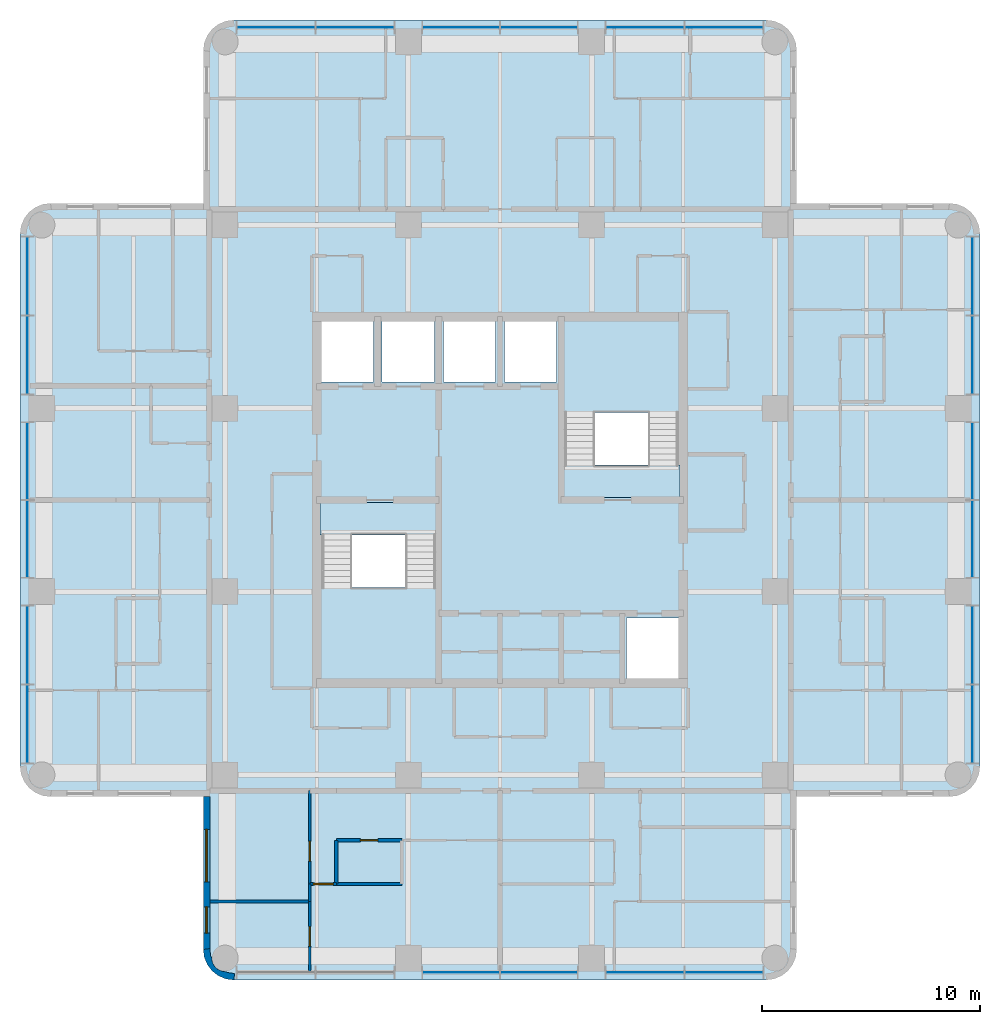
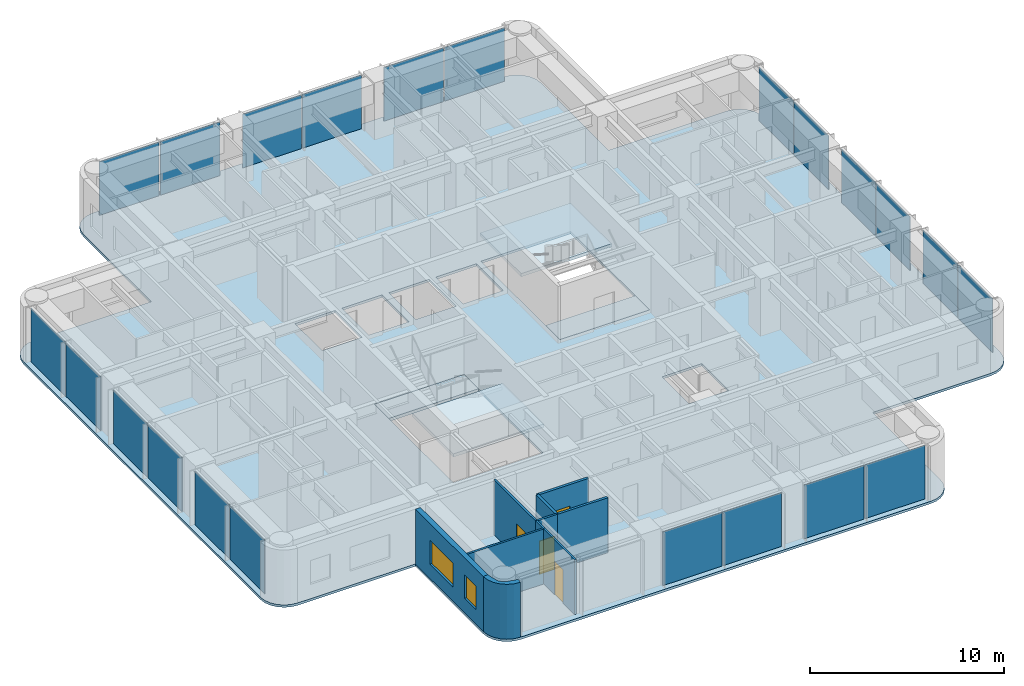
# One storey, part 3 of 10: 22 plates, 10 walls, 5 slabs, 4 doors, 2 windows, 6 openings, 6 elements without a shape of their own.
"""IFC4 building model written with IfcOpenShell, lengths in metres."""

import ifcopenshell
import ifcopenshell.guid

model = None  # the IFC model being written
_history = None  # IfcOwnerHistory: only IFC2X3 demands one
_inside = {}  # id of a spatial element -> (the spatial element, [elements in it])
_under = {}  # id of a project, library or spatial element -> (it, [spatial elements below it])
_declared = {}  # id of a project -> (the project, [libraries it declares])
_typed = {}  # id of a type object -> (the type object, [elements of that type])
_made_of = {}  # id of a material, layer set ... -> (it, [elements and type objects made of it])


def new_model(schema):
    """Start an empty IFC model of exactly this schema.

    Asked for "IFC4X3", IfcOpenShell would pick the latest addendum, in which some entities
    have other attributes; the version numbers below select the first issue.
    IFC2X3 requires an IfcOwnerHistory on every rooted entity: one is made here for all.
    """
    global model, _history
    if schema == "IFC4X3":
        model = ifcopenshell.file(schema_version=(4, 3, 0, 0))
    else:
        model = ifcopenshell.file(schema=schema)
    _inside.clear()
    _under.clear()
    _declared.clear()
    _typed.clear()
    _made_of.clear()
    _history = None
    if model.schema == "IFC2X3":
        org = make("IfcOrganization", Name="unknown")
        user = make(
            "IfcPersonAndOrganization",
            ThePerson=make("IfcPerson", FamilyName="unknown"),
            TheOrganization=org,
        )
        app = make(
            "IfcApplication",
            ApplicationDeveloper=org,
            Version="unknown",
            ApplicationFullName="unknown",
            ApplicationIdentifier="unknown",
        )
        _history = make(
            "IfcOwnerHistory",
            OwningUser=user,
            OwningApplication=app,
            ChangeAction="ADDED",
            CreationDate=0,
        )
    return model


def make(cls, **values):
    """One entity of the class cls with the attributes given. An attribute that is None is left unset."""
    return model.create_entity(
        cls, **{name: value for name, value in values.items() if value is not None}
    )


def rooted(cls, **values):
    """An entity with a GlobalId (a new one), such as an element, a storey or a relation."""
    return make(cls, GlobalId=ifcopenshell.guid.new(), OwnerHistory=_history, **values)


def si_unit(unit_type, name, prefix=None):
    """IfcSIUnit, for example si_unit("LENGTHUNIT", "METRE", prefix="MILLI")."""
    return make("IfcSIUnit", UnitType=unit_type, Prefix=prefix, Name=name)


def assignment(units):
    """IfcUnitAssignment: the units of a project."""
    return None if units is None else make("IfcUnitAssignment", Units=units)


def point(xyz):
    """IfcCartesianPoint."""
    return None if xyz is None else make("IfcCartesianPoint", Coordinates=xyz)


def direction(xyz):
    """IfcDirection."""
    return None if xyz is None else make("IfcDirection", DirectionRatios=xyz)


def frame(location, z_axis=None, x_axis=None):
    """IfcAxis2Placement3D, a coordinate frame: its origin and axes. An axis left out is left unset."""
    return make(
        "IfcAxis2Placement3D",
        Location=point(location),
        Axis=direction(z_axis),
        RefDirection=direction(x_axis),
    )


def frame_2d(location, x_axis=None):
    """IfcAxis2Placement2D, a coordinate frame in the plane: its origin and x axis."""
    return make(
        "IfcAxis2Placement2D", Location=point(location), RefDirection=direction(x_axis)
    )


def origin():
    """The frame at (0, 0, 0) with its axes left unset."""
    return frame((0.0, 0.0, 0.0))


def origin_2d():
    """The frame at (0, 0) in the plane with its x axis left unset."""
    return frame_2d((0.0, 0.0))


def place(relative_to, where):
    """IfcLocalPlacement: puts the frame where relative to a parent placement (None: the world)."""
    return make(
        "IfcLocalPlacement", PlacementRelTo=relative_to, RelativePlacement=where
    )


def context(
    kind, dimensions, precision=None, world=None, true_north=None, identifier=None
):
    """IfcGeometricRepresentationContext, for example the 3D "Model" context."""
    return make(
        "IfcGeometricRepresentationContext",
        ContextIdentifier=identifier,
        ContextType=kind,
        CoordinateSpaceDimension=dimensions,
        Precision=precision,
        WorldCoordinateSystem=world,
        TrueNorth=true_north,
    )


def subcontext(parent, identifier, kind, view, scale=None):
    """IfcGeometricRepresentationSubContext, for example "Body" below "Model"."""
    return make(
        "IfcGeometricRepresentationSubContext",
        ContextIdentifier=identifier,
        ContextType=kind,
        ParentContext=parent,
        TargetScale=scale,
        TargetView=view,
    )


def project(units=None, contexts=None):
    """IfcProject with its units and contexts."""
    return rooted(
        "IfcProject",
        Name="project",
        RepresentationContexts=contexts,
        UnitsInContext=assignment(units),
    )


def spatial(cls, under=None, at=None, **own):
    """A site, building, storey or space (cls), placed at a placement, below another one or the project."""
    s = rooted(cls, ObjectPlacement=at, **own)
    if under is not None:
        _under.setdefault(under.id(), (under, []))[1].append(s)
    return s


def polyline(points):
    """IfcPolyline through the points."""
    return make("IfcPolyline", Points=[point(p) for p in points])


def profile(cls, at=None, kind="AREA", **sizes):
    """A parametric profile (cls). Its sizes go by their IFC names, for example OverallWidth=200.0."""
    return make(cls, ProfileType=kind, Position=at, **sizes)


def rectangle(**sizes):
    """IfcRectangleProfileDef."""
    return profile("IfcRectangleProfileDef", **sizes)


def outline(outer, holes=None, kind="AREA"):
    """IfcArbitraryClosedProfileDef: a profile drawn as a closed curve; with holes, ...WithVoids."""
    if holes is None:
        return make("IfcArbitraryClosedProfileDef", ProfileType=kind, OuterCurve=outer)
    return make(
        "IfcArbitraryProfileDefWithVoids",
        ProfileType=kind,
        OuterCurve=outer,
        InnerCurves=holes,
    )


def extrude(swept, where, along, depth):
    """IfcExtrudedAreaSolid: the profile swept, set in the frame where, extruded along a direction by depth."""
    return make(
        "IfcExtrudedAreaSolid",
        SweptArea=swept,
        Position=where,
        ExtrudedDirection=direction(along),
        Depth=depth,
    )


def shape(context_of_items, identifier, shape_type, items):
    """IfcShapeRepresentation: the items that make up one representation, for example the "Body"."""
    return make(
        "IfcShapeRepresentation",
        ContextOfItems=context_of_items,
        RepresentationIdentifier=identifier,
        RepresentationType=shape_type,
        Items=items,
    )


def material(Name=None, Category=None):
    """IfcMaterial."""
    return make("IfcMaterial", Name=Name, Category=Category)


def layer(
    of_material, thickness, ventilated=None, Name=None, Category=None, Priority=None
):
    """IfcMaterialLayer: one layer of a wall or slab, of a material (None: an air gap)."""
    return make(
        "IfcMaterialLayer",
        Material=of_material,
        LayerThickness=thickness,
        IsVentilated=ventilated,
        Name=Name,
        Category=Category,
        Priority=Priority,
    )


def layer_set(layers, Name=None):
    """IfcMaterialLayerSet."""
    return make("IfcMaterialLayerSet", MaterialLayers=layers, LayerSetName=Name)


def made_of(thing, what):
    """Note that an element or type object is made of a material, layer set ...; save() writes the relation."""
    if what is not None:
        _made_of.setdefault(what.id(), (what, []))[1].append(thing)
    return thing


def type_object(cls, material=None, **own):
    """A type object (cls), such as IfcWallType, which elements share."""
    return made_of(rooted(cls, **own), material)


def element(
    cls,
    number,
    at=None,
    inside=None,
    cuts=None,
    type_object=None,
    material=None,
    context=None,
    identifier="Body",
    shape_type=None,
    held_by="IfcProductDefinitionShape",
    body=None,
    shapes=None,
    **own,
):
    """One element of the class cls, such as IfcWall. Its Tag is "e" and its number.

    at: its placement. inside: the storey or other place that contains it. cuts: it is an
    opening in that element (IfcRelVoidsElement). A single representation is given by context,
    identifier, shape_type and body (its items); several are given by shapes. held_by: the class
    of the entity that holds the representations. save() writes the other relations.
    """
    e = rooted(cls, Tag="e%d" % number, ObjectPlacement=at, **own)
    if body is not None:
        shapes = [shape(context, identifier, shape_type, body)]
    if shapes is not None:
        e.Representation = make(held_by, Representations=shapes)
    if inside is not None:
        _inside.setdefault(inside.id(), (inside, []))[1].append(e)
    if cuts is not None:
        rooted(
            "IfcRelVoidsElement", RelatingBuildingElement=cuts, RelatedOpeningElement=e
        )
    if type_object is not None:
        _typed.setdefault(type_object.id(), (type_object, []))[1].append(e)
    return made_of(e, material)


def fill(opening, filler):
    """IfcRelFillsElement: the door or window that sits in an opening."""
    return rooted(
        "IfcRelFillsElement",
        RelatingOpeningElement=opening,
        RelatedBuildingElement=filler,
    )


def aggregate(whole, parts):
    """IfcRelAggregates: a whole, such as a stair, and the parts it consists of."""
    return rooted("IfcRelAggregates", RelatingObject=whole, RelatedObjects=parts)


def save(model, path):
    """Write the relations noted so far, then the file.

    IfcRelAggregates (storeys below a building ...), IfcRelContainedInSpatialStructure (elements
    in a storey), IfcRelDefinesByType, IfcRelAssociatesMaterial and IfcRelDeclares: one each for
    every whole, place, type object, material and project.
    """
    for whole, parts in _under.values():
        aggregate(whole, parts)
    for where, things in _inside.values():
        rooted(
            "IfcRelContainedInSpatialStructure",
            RelatedElements=things,
            RelatingStructure=where,
        )
    for kind, things in _typed.values():
        rooted("IfcRelDefinesByType", RelatedObjects=things, RelatingType=kind)
    for what, things in _made_of.values():
        rooted("IfcRelAssociatesMaterial", RelatedObjects=things, RelatingMaterial=what)
    for by, libraries in _declared.values():
        rooted("IfcRelDeclares", RelatingContext=by, RelatedDefinitions=libraries)
    model.write(path)


model = new_model("IFC4")

# Units and contexts
model_context = context("Model", 3, precision=1e-05, world=origin(), true_north=direction((0.0, 1.0)))
body_context = subcontext(model_context, "Body", "Model", "MODEL_VIEW")
ifc_project = project(units=[si_unit("LENGTHUNIT", "METRE"), si_unit("AREAUNIT", "SQUARE_METRE"), si_unit("VOLUMEUNIT", "CUBIC_METRE"), si_unit("PLANEANGLEUNIT", "RADIAN"), si_unit("MASSUNIT", "GRAM", prefix="KILO")], contexts=[model_context])

# Site, building, storey
site_placement = place(None, origin())
site = spatial("IfcSite", under=ifc_project, at=site_placement, CompositionType="ELEMENT")
building_placement = place(site_placement, origin())
building = spatial("IfcBuilding", under=site, at=building_placement, Name="Torre Alcanfor", CompositionType="ELEMENT")
storey_placement = place(building_placement, frame((0.0, 0.0, 290.10009765625)))
storey = spatial("IfcBuildingStorey", under=building, at=storey_placement, Name="L76", CompositionType="ELEMENT", Elevation=290.10009765625)

# Curtain wall, plates
ifc_material_1 = material(Name="Aluminium and glass", Category="aluminium")
curtain_wall_type = type_object("IfcCurtainWallType", Name="CW-A unitised apartment glazing with vertical FIN", PredefinedType="NOTDEFINED", material=ifc_material_1)
curtain_wall_1_placement = place(storey_placement, origin())
curtain_wall_1 = element("IfcCurtainWall", 1, at=curtain_wall_1_placement, inside=storey, type_object=curtain_wall_type, Name="Curtain wall CW-A L76 2", PredefinedType="NOTDEFINED")
ifc_material_2 = material(Name="Glass", Category="glass")
ifc_layer_1 = layer(ifc_material_2, 0.028076171875)
ifc_layer_set_1 = layer_set([ifc_layer_1], Name="CW-A clear double glazed unit")
plate_type = type_object("IfcPlateType", Name="CW-A clear double glazed unit", PredefinedType="CURTAIN_PANEL", material=ifc_layer_set_1)
plate_1_placement = place(storey_placement, frame((7.75, 39.664794921875, 0.0), z_axis=(0.0, 0.0, 1.0), x_axis=(0.0, -1.0, 0.0)))
plate_1 = element("IfcPlate", 2, at=plate_1_placement, type_object=plate_type, Name="CW-A panel 1.1.1", PredefinedType="CURTAIN_PANEL", context=body_context, shape_type="SweptSolid", body=[
    extrude(rectangle(XDim=3.55322265625, YDim=0.028076171875, at=origin_2d()), origin(), (0.0, 0.0, 1.0), 3.385009765625),
])
plate_2_placement = place(storey_placement, frame((7.75, 36.046630859375, 0.0), z_axis=(0.0, 0.0, 1.0), x_axis=(0.0, -1.0, 0.0)))
plate_2 = element("IfcPlate", 3, at=plate_2_placement, type_object=plate_type, Name="CW-A panel 1.2.1", PredefinedType="CURTAIN_PANEL", context=body_context, shape_type="SweptSolid", body=[
    extrude(rectangle(XDim=3.55322265625, YDim=0.028076171875, at=origin_2d()), origin(), (0.0, 0.0, 1.0), 3.385009765625),
])
plate_3_placement = place(storey_placement, frame((7.75, 31.18115234375, 0.0), z_axis=(0.0, 0.0, 1.0), x_axis=(0.0, -1.0, 0.0)))
plate_3 = element("IfcPlate", 4, at=plate_3_placement, type_object=plate_type, Name="CW-A panel 2.1.1", PredefinedType="CURTAIN_PANEL", context=body_context, shape_type="SweptSolid", body=[
    extrude(rectangle(XDim=3.49755859375, YDim=0.028076171875, at=origin_2d()), origin(), (0.0, 0.0, 1.0), 3.385009765625),
])
plate_4_placement = place(storey_placement, frame((7.75, 27.61865234375, 0.0), z_axis=(0.0, 0.0, 1.0), x_axis=(0.0, -1.0, 0.0)))
plate_4 = element("IfcPlate", 5, at=plate_4_placement, type_object=plate_type, Name="CW-A panel 2.2.1", PredefinedType="CURTAIN_PANEL", context=body_context, shape_type="SweptSolid", body=[
    extrude(rectangle(XDim=3.49755859375, YDim=0.028076171875, at=origin_2d()), origin(), (0.0, 0.0, 1.0), 3.385009765625),
])
plate_5_placement = place(storey_placement, frame((7.75, 22.75341796875, 0.0), z_axis=(0.0, 0.0, 1.0), x_axis=(0.0, -1.0, 0.0)))
plate_5 = element("IfcPlate", 6, at=plate_5_placement, type_object=plate_type, Name="CW-A panel 3.1.1", PredefinedType="CURTAIN_PANEL", context=body_context, shape_type="SweptSolid", body=[
    extrude(rectangle(XDim=3.55322265625, YDim=0.028076171875, at=origin_2d()), origin(), (0.0, 0.0, 1.0), 3.385009765625),
])
plate_6_placement = place(storey_placement, frame((7.75, 19.135009765625, 0.0), z_axis=(0.0, 0.0, 1.0), x_axis=(0.0, -1.0, 0.0)))
plate_6 = element("IfcPlate", 7, at=plate_6_placement, type_object=plate_type, Name="CW-A panel 3.2.1", PredefinedType="CURTAIN_PANEL", context=body_context, shape_type="SweptSolid", body=[
    extrude(rectangle(XDim=3.55322265625, YDim=0.028076171875, at=origin_2d()), origin(), (0.0, 0.0, 1.0), 3.385009765625),
])
aggregate(curtain_wall_1, [plate_1, plate_2, plate_3, plate_4, plate_5, plate_6])

curtain_wall_2_placement = place(storey_placement, origin())
curtain_wall_2 = element("IfcCurtainWall", 8, at=curtain_wall_2_placement, inside=storey, type_object=curtain_wall_type, Name="Curtain wall CW-A L76 5", PredefinedType="NOTDEFINED")
plate_7_placement = place(storey_placement, frame((27.61865234375, 7.75, 0.0), z_axis=(0.0, 0.0, 1.0), x_axis=(1.0, 0.0, 0.0)))
plate_7 = element("IfcPlate", 9, at=plate_7_placement, type_object=plate_type, Name="CW-A panel 2.1.1", PredefinedType="CURTAIN_PANEL", context=body_context, shape_type="SweptSolid", body=[
    extrude(rectangle(XDim=3.49755859375, YDim=0.028076171875, at=origin_2d()), origin(), (0.0, 0.0, 1.0), 3.385009765625),
])
plate_8_placement = place(storey_placement, frame((31.18115234375, 7.75, 0.0), z_axis=(0.0, 0.0, 1.0), x_axis=(1.0, 0.0, 0.0)))
plate_8 = element("IfcPlate", 10, at=plate_8_placement, type_object=plate_type, Name="CW-A panel 2.2.1", PredefinedType="CURTAIN_PANEL", context=body_context, shape_type="SweptSolid", body=[
    extrude(rectangle(XDim=3.49755859375, YDim=0.028076171875, at=origin_2d()), origin(), (0.0, 0.0, 1.0), 3.385009765625),
])
plate_9_placement = place(storey_placement, frame((36.046630859375, 7.75, 0.0), z_axis=(0.0, 0.0, 1.0), x_axis=(1.0, 0.0, 0.0)))
plate_9 = element("IfcPlate", 11, at=plate_9_placement, type_object=plate_type, Name="CW-A panel 3.1.1", PredefinedType="CURTAIN_PANEL", context=body_context, shape_type="SweptSolid", body=[
    extrude(rectangle(XDim=3.55322265625, YDim=0.028076171875, at=origin_2d()), origin(), (0.0, 0.0, 1.0), 3.385009765625),
])
plate_10_placement = place(storey_placement, frame((39.664794921875, 7.75, 0.0), z_axis=(0.0, 0.0, 1.0), x_axis=(1.0, 0.0, 0.0)))
plate_10 = element("IfcPlate", 12, at=plate_10_placement, type_object=plate_type, Name="CW-A panel 3.2.1", PredefinedType="CURTAIN_PANEL", context=body_context, shape_type="SweptSolid", body=[
    extrude(rectangle(XDim=3.55322265625, YDim=0.028076171875, at=origin_2d()), origin(), (0.0, 0.0, 1.0), 3.385009765625),
])
aggregate(curtain_wall_2, [plate_7, plate_8, plate_9, plate_10])

curtain_wall_3_placement = place(storey_placement, origin())
curtain_wall_3 = element("IfcCurtainWall", 13, at=curtain_wall_3_placement, inside=storey, type_object=curtain_wall_type, Name="Curtain wall CW-A L76 8", PredefinedType="NOTDEFINED")
plate_11_placement = place(storey_placement, frame((51.050048828125, 19.135009765625, 0.0), z_axis=(0.0, 0.0, 1.0), x_axis=(0.0, 1.0, 0.0)))
plate_11 = element("IfcPlate", 14, at=plate_11_placement, type_object=plate_type, Name="CW-A panel 1.1.1", PredefinedType="CURTAIN_PANEL", context=body_context, shape_type="SweptSolid", body=[
    extrude(rectangle(XDim=3.55322265625, YDim=0.028076171875, at=origin_2d()), origin(), (0.0, 0.0, 1.0), 3.385009765625),
])
plate_12_placement = place(storey_placement, frame((51.050048828125, 22.75341796875, 0.0), z_axis=(0.0, 0.0, 1.0), x_axis=(0.0, 1.0, 0.0)))
plate_12 = element("IfcPlate", 15, at=plate_12_placement, type_object=plate_type, Name="CW-A panel 1.2.1", PredefinedType="CURTAIN_PANEL", context=body_context, shape_type="SweptSolid", body=[
    extrude(rectangle(XDim=3.55322265625, YDim=0.028076171875, at=origin_2d()), origin(), (0.0, 0.0, 1.0), 3.385009765625),
])
plate_13_placement = place(storey_placement, frame((51.050048828125, 27.61865234375, 0.0), z_axis=(0.0, 0.0, 1.0), x_axis=(0.0, 1.0, 0.0)))
plate_13 = element("IfcPlate", 16, at=plate_13_placement, type_object=plate_type, Name="CW-A panel 2.1.1", PredefinedType="CURTAIN_PANEL", context=body_context, shape_type="SweptSolid", body=[
    extrude(rectangle(XDim=3.49755859375, YDim=0.028076171875, at=origin_2d()), origin(), (0.0, 0.0, 1.0), 3.385009765625),
])
plate_14_placement = place(storey_placement, frame((51.050048828125, 31.18115234375, 0.0), z_axis=(0.0, 0.0, 1.0), x_axis=(0.0, 1.0, 0.0)))
plate_14 = element("IfcPlate", 17, at=plate_14_placement, type_object=plate_type, Name="CW-A panel 2.2.1", PredefinedType="CURTAIN_PANEL", context=body_context, shape_type="SweptSolid", body=[
    extrude(rectangle(XDim=3.49755859375, YDim=0.028076171875, at=origin_2d()), origin(), (0.0, 0.0, 1.0), 3.385009765625),
])
plate_15_placement = place(storey_placement, frame((51.050048828125, 36.046630859375, 0.0), z_axis=(0.0, 0.0, 1.0), x_axis=(0.0, 1.0, 0.0)))
plate_15 = element("IfcPlate", 18, at=plate_15_placement, type_object=plate_type, Name="CW-A panel 3.1.1", PredefinedType="CURTAIN_PANEL", context=body_context, shape_type="SweptSolid", body=[
    extrude(rectangle(XDim=3.55322265625, YDim=0.028076171875, at=origin_2d()), origin(), (0.0, 0.0, 1.0), 3.385009765625),
])
plate_16_placement = place(storey_placement, frame((51.050048828125, 39.664794921875, 0.0), z_axis=(0.0, 0.0, 1.0), x_axis=(0.0, 1.0, 0.0)))
plate_16 = element("IfcPlate", 19, at=plate_16_placement, type_object=plate_type, Name="CW-A panel 3.2.1", PredefinedType="CURTAIN_PANEL", context=body_context, shape_type="SweptSolid", body=[
    extrude(rectangle(XDim=3.55322265625, YDim=0.028076171875, at=origin_2d()), origin(), (0.0, 0.0, 1.0), 3.385009765625),
])
aggregate(curtain_wall_3, [plate_11, plate_12, plate_13, plate_14, plate_15, plate_16])

curtain_wall_4_placement = place(storey_placement, origin())
curtain_wall_4 = element("IfcCurtainWall", 20, at=curtain_wall_4_placement, inside=storey, type_object=curtain_wall_type, Name="Curtain wall CW-A L76 11", PredefinedType="NOTDEFINED")
plate_17_placement = place(storey_placement, frame((39.664794921875, 51.050048828125, 0.0), z_axis=(0.0, 0.0, 1.0), x_axis=(-1.0, 0.0, 0.0)))
plate_17 = element("IfcPlate", 21, at=plate_17_placement, type_object=plate_type, Name="CW-A panel 1.1.1", PredefinedType="CURTAIN_PANEL", context=body_context, shape_type="SweptSolid", body=[
    extrude(rectangle(XDim=3.55322265625, YDim=0.028076171875, at=origin_2d()), origin(), (0.0, 0.0, 1.0), 3.385009765625),
])
plate_18_placement = place(storey_placement, frame((36.046630859375, 51.050048828125, 0.0), z_axis=(0.0, 0.0, 1.0), x_axis=(-1.0, 0.0, 0.0)))
plate_18 = element("IfcPlate", 22, at=plate_18_placement, type_object=plate_type, Name="CW-A panel 1.2.1", PredefinedType="CURTAIN_PANEL", context=body_context, shape_type="SweptSolid", body=[
    extrude(rectangle(XDim=3.55322265625, YDim=0.028076171875, at=origin_2d()), origin(), (0.0, 0.0, 1.0), 3.385009765625),
])
plate_19_placement = place(storey_placement, frame((31.18115234375, 51.050048828125, 0.0), z_axis=(0.0, 0.0, 1.0), x_axis=(-1.0, 0.0, 0.0)))
plate_19 = element("IfcPlate", 23, at=plate_19_placement, type_object=plate_type, Name="CW-A panel 2.1.1", PredefinedType="CURTAIN_PANEL", context=body_context, shape_type="SweptSolid", body=[
    extrude(rectangle(XDim=3.49755859375, YDim=0.028076171875, at=origin_2d()), origin(), (0.0, 0.0, 1.0), 3.385009765625),
])
plate_20_placement = place(storey_placement, frame((27.61865234375, 51.050048828125, 0.0), z_axis=(0.0, 0.0, 1.0), x_axis=(-1.0, 0.0, 0.0)))
plate_20 = element("IfcPlate", 24, at=plate_20_placement, type_object=plate_type, Name="CW-A panel 2.2.1", PredefinedType="CURTAIN_PANEL", context=body_context, shape_type="SweptSolid", body=[
    extrude(rectangle(XDim=3.49755859375, YDim=0.028076171875, at=origin_2d()), origin(), (0.0, 0.0, 1.0), 3.385009765625),
])
plate_21_placement = place(storey_placement, frame((22.75341796875, 51.050048828125, 0.0), z_axis=(0.0, 0.0, 1.0), x_axis=(-1.0, 0.0, 0.0)))
plate_21 = element("IfcPlate", 25, at=plate_21_placement, type_object=plate_type, Name="CW-A panel 3.1.1", PredefinedType="CURTAIN_PANEL", context=body_context, shape_type="SweptSolid", body=[
    extrude(rectangle(XDim=3.55322265625, YDim=0.028076171875, at=origin_2d()), origin(), (0.0, 0.0, 1.0), 3.385009765625),
])
plate_22_placement = place(storey_placement, frame((19.135009765625, 51.050048828125, 0.0), z_axis=(0.0, 0.0, 1.0), x_axis=(-1.0, 0.0, 0.0)))
plate_22 = element("IfcPlate", 26, at=plate_22_placement, type_object=plate_type, Name="CW-A panel 3.2.1", PredefinedType="CURTAIN_PANEL", context=body_context, shape_type="SweptSolid", body=[
    extrude(rectangle(XDim=3.55322265625, YDim=0.028076171875, at=origin_2d()), origin(), (0.0, 0.0, 1.0), 3.385009765625),
])
aggregate(curtain_wall_4, [plate_17, plate_18, plate_19, plate_20, plate_21, plate_22])

# Slab
ifc_material_3 = material(Name="Concrete f'c 35 MPa", Category="concrete")
ifc_layer_2 = layer(ifc_material_3, 0.14990234375)
ifc_layer_set_2 = layer_set([ifc_layer_2], Name="Composite floor 150 on metal deck")
slab_type_1 = type_object("IfcSlabType", Name="Composite floor 150 on metal deck", PredefinedType="FLOOR", material=ifc_layer_set_2)
slab_1_placement = place(storey_placement, frame((0.0, 0.0, -0.150146484375)))
element("IfcSlab", 27, at=slab_1_placement, inside=storey, type_object=slab_type_1, Name="Floor slab L76", PredefinedType="FLOOR", context=body_context, shape_type="SweptSolid", body=[
    extrude(outline(polyline([(15.800048828125, 43.0), (8.800048828125, 43.0), (8.437744140625, 42.952392578125), (8.10009765625, 42.8125), (7.81005859375, 42.58984375), (7.587646484375, 42.300048828125), (7.44775390625, 41.96240234375), (7.39990234375, 41.60009765625), (7.39990234375, 17.199951171875), (7.44775390625, 16.837646484375), (7.587646484375, 16.5), (7.81005859375, 16.210205078125), (8.10009765625, 15.987548828125), (8.437744140625, 15.84765625), (8.800048828125, 15.800048828125), (15.800048828125, 15.800048828125), (15.800048828125, 8.800048828125), (15.84765625, 8.437744140625), (15.987548828125, 8.10009765625), (16.210205078125, 7.81005859375), (16.5, 7.587646484375), (16.837646484375, 7.44775390625), (17.199951171875, 7.39990234375), (41.60009765625, 7.39990234375), (41.96240234375, 7.44775390625), (42.300048828125, 7.587646484375), (42.58984375, 7.81005859375), (42.8125, 8.10009765625), (42.952392578125, 8.437744140625), (43.0, 8.800048828125), (43.0, 15.800048828125), (50.0, 15.800048828125), (50.3623046875, 15.84765625), (50.699951171875, 15.987548828125), (50.989990234375, 16.210205078125), (51.21240234375, 16.5), (51.352294921875, 16.837646484375), (51.39990234375, 17.199951171875), (51.39990234375, 41.60009765625), (51.352294921875, 41.96240234375), (51.21240234375, 42.300048828125), (50.989990234375, 42.58984375), (50.699951171875, 42.8125), (50.3623046875, 42.952392578125), (50.0, 43.0), (43.0, 43.0), (43.0, 50.0), (42.952392578125, 50.3623046875), (42.8125, 50.699951171875), (42.58984375, 50.989990234375), (42.300048828125, 51.21240234375), (41.96240234375, 51.352294921875), (41.60009765625, 51.39990234375), (17.199951171875, 51.39990234375), (16.837646484375, 51.352294921875), (16.5, 51.21240234375), (16.210205078125, 50.989990234375), (15.987548828125, 50.699951171875), (15.84765625, 50.3623046875), (15.800048828125, 50.0), (15.800048828125, 43.0)]), holes=[polyline([(21.14501953125, 21.14501953125), (26.47998046875, 21.14501953125), (26.47998046875, 29.280029296875), (21.14501953125, 29.280029296875), (21.14501953125, 21.14501953125)]), polyline([(32.320068359375, 29.52001953125), (37.655029296875, 29.52001953125), (37.655029296875, 37.655029296875), (32.320068359375, 37.655029296875), (32.320068359375, 29.52001953125)]), polyline([(35.199951171875, 21.22509765625), (37.574951171875, 21.22509765625), (37.574951171875, 24.0), (35.199951171875, 24.0), (35.199951171875, 21.22509765625)]), polyline([(21.22509765625, 34.800048828125), (23.60009765625, 34.800048828125), (23.60009765625, 37.574951171875), (21.22509765625, 37.574951171875), (21.22509765625, 34.800048828125)]), polyline([(24.0, 34.800048828125), (26.39990234375, 34.800048828125), (26.39990234375, 37.574951171875), (24.0, 37.574951171875), (24.0, 34.800048828125)]), polyline([(26.800048828125, 34.800048828125), (29.199951171875, 34.800048828125), (29.199951171875, 37.574951171875), (26.800048828125, 37.574951171875), (26.800048828125, 34.800048828125)]), polyline([(29.60009765625, 34.800048828125), (32.0, 34.800048828125), (32.0, 37.574951171875), (29.60009765625, 37.574951171875), (29.60009765625, 34.800048828125)])]), origin(), (0.0, 0.0, 1.0), 0.150146484375),
])

# Stair, slabs
ifc_material_4 = material(Name="Concrete f'c 35 MPa", Category="concrete")
stair_type_1 = type_object("IfcStairType", Name="Exit stair S1 1400 wide", PredefinedType="HALF_TURN_STAIR", material=ifc_material_4)
stair_1_placement = place(storey_placement, origin())
stair_1 = element("IfcStair", 28, at=stair_1_placement, inside=storey, type_object=stair_type_1, Name="Stair S1 L76 to L77", PredefinedType="HALF_TURN_STAIR")
ifc_material_5 = material(Name="Concrete f'c 35 MPa", Category="concrete")
ifc_layer_3 = layer(ifc_material_5, 0.199951171875)
ifc_layer_set_3 = layer_set([ifc_layer_3], Name="Stair landing 200")
slab_type_2 = type_object("IfcSlabType", Name="Stair landing 200", PredefinedType="LANDING", material=ifc_layer_set_3)
slab_2_placement = place(storey_placement, frame((0.0, 0.0, -0.2001953125)))
slab_2 = element("IfcSlab", 29, at=slab_2_placement, type_object=slab_type_2, Name="S1 landing 1", PredefinedType="LANDING", context=body_context, shape_type="SweptSolid", body=[
    extrude(outline(polyline([(21.14501953125, 27.800048828125), (26.47998046875, 27.800048828125), (26.47998046875, 29.280029296875), (21.14501953125, 29.280029296875), (21.14501953125, 27.800048828125)])), origin(), (0.0, 0.0, 1.0), 0.2001953125),
])
slab_3_placement = place(storey_placement, frame((0.0, 0.0, 1.599853515625)))
slab_3 = element("IfcSlab", 30, at=slab_3_placement, type_object=slab_type_2, Name="S1 landing 2", PredefinedType="LANDING", context=body_context, shape_type="SweptSolid", body=[
    extrude(outline(polyline([(21.14501953125, 21.14501953125), (26.530029296875, 21.14501953125), (26.530029296875, 25.3798828125), (21.14501953125, 25.3798828125), (21.14501953125, 21.14501953125)])), origin(), (0.0, 0.0, 1.0), 0.199951171875),
])
aggregate(stair_1, [slab_2, slab_3])

ifc_material_6 = material(Name="Concrete f'c 35 MPa", Category="concrete")
stair_type_2 = type_object("IfcStairType", Name="Exit stair S2 1400 wide", PredefinedType="HALF_TURN_STAIR", material=ifc_material_6)
stair_2_placement = place(storey_placement, origin())
stair_2 = element("IfcStair", 31, at=stair_2_placement, inside=storey, type_object=stair_type_2, Name="Stair S2 L76 to L77", PredefinedType="HALF_TURN_STAIR")
slab_4_placement = place(storey_placement, frame((0.0, 0.0, -0.2001953125)))
slab_4 = element("IfcSlab", 32, at=slab_4_placement, type_object=slab_type_2, Name="S2 landing 1", PredefinedType="LANDING", context=body_context, shape_type="SweptSolid", body=[
    extrude(outline(polyline([(32.320068359375, 29.52001953125), (37.655029296875, 29.52001953125), (37.655029296875, 31.0), (32.320068359375, 31.0), (32.320068359375, 29.52001953125)])), origin(), (0.0, 0.0, 1.0), 0.2001953125),
])
slab_5_placement = place(storey_placement, frame((0.0, 0.0, 1.599853515625)))
slab_5 = element("IfcSlab", 33, at=slab_5_placement, type_object=slab_type_2, Name="S2 landing 2", PredefinedType="LANDING", context=body_context, shape_type="SweptSolid", body=[
    extrude(outline(polyline([(32.27001953125, 33.419921875), (37.655029296875, 33.419921875), (37.655029296875, 37.655029296875), (32.27001953125, 37.655029296875), (32.27001953125, 33.419921875)])), origin(), (0.0, 0.0, 1.0), 0.199951171875),
])
aggregate(stair_2, [slab_4, slab_5])

# Wall, opening, door
ifc_material_7 = material(Name="Gypsum board on steel studs", Category="steel")
ifc_layer_4 = layer(ifc_material_7, 0.1201171875)
ifc_layer_set_4 = layer_set([ifc_layer_4], Name="Apartment partition 120")
wall_type_1 = type_object("IfcWallType", Name="Apartment partition 120", PredefinedType="PARTITIONING", material=ifc_layer_set_4)
wall_1_placement = place(storey_placement, frame((21.89990234375, 11.800048828125, 0.0), z_axis=(0.0, 0.0, 1.0), x_axis=(-1.0, 0.0, 0.0)))
wall_1 = element("IfcWall", 34, at=wall_1_placement, inside=storey, type_object=wall_type_1, Name="Partition L76-S2-HALL / L76-S2-LIVING", PredefinedType="PARTITIONING", context=body_context, shape_type="SweptSolid", body=[
    extrude(rectangle(XDim=1.2138671875, YDim=0.1201171875, at=frame_2d((0.60693359375, 0.0))), origin(), (0.0, 0.0, 1.0), 3.449951171875),
])
opening_1_placement = place(wall_1_placement, frame((0.14990234375, 0.0, 0.0)))
opening_1 = element("IfcOpeningElement", 35, at=opening_1_placement, cuts=wall_1, Name="Opening D-R1", PredefinedType="OPENING", context=body_context, shape_type="SweptSolid", body=[
    extrude(rectangle(XDim=0.89990234375, YDim=2.10009765625, at=frame_2d((0.449951171875, 1.050048828125))), frame((0.0, 0.070068359375, 0.0), z_axis=(0.0, -1.0, 0.0), x_axis=(1.0, 0.0, 0.0)), (0.0, 0.0, 1.0), 0.14013671875),
])
ifc_material_8 = material(Name="Timber", Category="wood")
door_type_1 = type_object("IfcDoorType", Name="Internal door 900x2100", OperationType="SINGLE_SWING_LEFT", PredefinedType="DOOR", material=ifc_material_8)
door_1_placement = place(opening_1_placement, origin())
door_1 = element("IfcDoor", 36, at=door_1_placement, inside=storey, type_object=door_type_1, Name="Door L76-S2 living", OperationType="SINGLE_SWING_RIGHT", OverallHeight=2.10009765625, OverallWidth=0.89990234375, PredefinedType="DOOR", context=body_context, shape_type="SweptSolid", body=[
    extrude(rectangle(XDim=0.89990234375, YDim=2.10009765625, at=frame_2d((0.449951171875, 1.050048828125))), frame((0.0, 0.02490234375, 0.0), z_axis=(0.0, -1.0, 0.0), x_axis=(1.0, 0.0, 0.0)), (0.0, 0.0, 1.0), 0.050048828125),
])
fill(opening_1, door_1)

wall_2_placement = place(storey_placement, frame((20.68603515625, 11.800048828125, 0.0), z_axis=(0.0, 0.0, 1.0), x_axis=(0.0, 1.0, 0.0)))
wall_2 = element("IfcWall", 37, at=wall_2_placement, inside=storey, type_object=wall_type_1, Name="Partition L76-S2-HALL / L76-S2-MASTER", PredefinedType="PARTITIONING", context=body_context, shape_type="SweptSolid", body=[
    extrude(rectangle(XDim=4.27490234375, YDim=0.1201171875, at=frame_2d((2.137451171875, 0.0))), origin(), (0.0, 0.0, 1.0), 3.449951171875),
])
opening_2_placement = place(wall_2_placement, frame((1.050048828125, 0.0, 0.0)))
opening_2 = element("IfcOpeningElement", 38, at=opening_2_placement, cuts=wall_2, Name="Opening D-R1", PredefinedType="OPENING", context=body_context, shape_type="SweptSolid", body=[
    extrude(rectangle(XDim=0.89990234375, YDim=2.10009765625, at=frame_2d((0.449951171875, 1.050048828125))), frame((0.0, 0.070068359375, 0.0), z_axis=(0.0, -1.0, 0.0), x_axis=(1.0, 0.0, 0.0)), (0.0, 0.0, 1.0), 0.14013671875),
])
door_2_placement = place(opening_2_placement, origin())
door_2 = element("IfcDoor", 39, at=door_2_placement, inside=storey, type_object=door_type_1, Name="Door L76-S2 master", OperationType="SINGLE_SWING_LEFT", OverallHeight=2.10009765625, OverallWidth=0.89990234375, PredefinedType="DOOR", context=body_context, shape_type="SweptSolid", body=[
    extrude(rectangle(XDim=0.89990234375, YDim=2.10009765625, at=frame_2d((0.449951171875, 1.050048828125))), frame((0.0, 0.02490234375, 0.0), z_axis=(0.0, -1.0, 0.0), x_axis=(1.0, 0.0, 0.0)), (0.0, 0.0, 1.0), 0.050048828125),
])
fill(opening_2, door_2)

# Wall
wall_3_placement = place(storey_placement, frame((20.68603515625, 11.0, 0.0), z_axis=(0.0, 0.0, 1.0), x_axis=(0.0, 1.0, 0.0)))
element("IfcWall", 40, at=wall_3_placement, inside=storey, type_object=wall_type_1, Name="Partition L76-S2-LIVING / L76-S2-MASTER", PredefinedType="PARTITIONING", context=body_context, shape_type="SweptSolid", body=[
    extrude(rectangle(XDim=0.800048828125, YDim=0.1201171875, at=frame_2d((0.39990234375, 0.0))), origin(), (0.0, 0.0, 1.0), 3.449951171875),
])

# Wall, opening, door
wall_4_placement = place(storey_placement, frame((20.68603515625, 7.75, 0.0), z_axis=(0.0, 0.0, 1.0), x_axis=(0.0, 1.0, 0.0)))
wall_4 = element("IfcWall", 41, at=wall_4_placement, inside=storey, type_object=wall_type_1, Name="Partition L76-S2-LIVING / L76-S2-BED2", PredefinedType="PARTITIONING", context=body_context, shape_type="SweptSolid", body=[
    extrude(rectangle(XDim=3.25, YDim=0.1201171875, at=frame_2d((1.625, 0.0))), origin(), (0.0, 0.0, 1.0), 3.449951171875),
])
opening_3_placement = place(wall_4_placement, frame((1.199951171875, 0.0, 0.0)))
opening_3 = element("IfcOpeningElement", 42, at=opening_3_placement, cuts=wall_4, Name="Opening D-R1", PredefinedType="OPENING", context=body_context, shape_type="SweptSolid", body=[
    extrude(rectangle(XDim=0.89990234375, YDim=2.10009765625, at=frame_2d((0.449951171875, 1.050048828125))), frame((0.0, 0.070068359375, 0.0), z_axis=(0.0, -1.0, 0.0), x_axis=(1.0, 0.0, 0.0)), (0.0, 0.0, 1.0), 0.14013671875),
])
door_3_placement = place(opening_3_placement, origin())
door_3 = element("IfcDoor", 43, at=door_3_placement, inside=storey, type_object=door_type_1, Name="Door L76-S2 bed2", OperationType="SINGLE_SWING_RIGHT", OverallHeight=2.10009765625, OverallWidth=0.89990234375, PredefinedType="DOOR", context=body_context, shape_type="SweptSolid", body=[
    extrude(rectangle(XDim=0.89990234375, YDim=2.10009765625, at=frame_2d((0.449951171875, 1.050048828125))), frame((0.0, 0.02490234375, 0.0), z_axis=(0.0, -1.0, 0.0), x_axis=(1.0, 0.0, 0.0)), (0.0, 0.0, 1.0), 0.050048828125),
])
fill(opening_3, door_3)

# Wall
wall_5_placement = place(storey_placement, frame((20.68603515625, 11.0, 0.0), z_axis=(0.0, 0.0, 1.0), x_axis=(-1.0, 0.0, 0.0)))
element("IfcWall", 44, at=wall_5_placement, inside=storey, type_object=wall_type_1, Name="Partition L76-S2-MASTER / L76-S2-BED2", PredefinedType="PARTITIONING", context=body_context, shape_type="SweptSolid", body=[
    extrude(rectangle(XDim=4.5859375, YDim=0.1201171875, at=frame_2d((2.29296875, 0.0))), origin(), (0.0, 0.0, 1.0), 3.449951171875),
])

# Wall, openings, windows
ifc_material_9 = material(Name="Limestone cladding", Category="masonry")
ifc_layer_5 = layer(ifc_material_9, 0.0400390625, Name="Facing")
ifc_material_10 = material(Name="Ventilated air cavity")
ifc_layer_6 = layer(ifc_material_10, 0.02001953125, ventilated=True, Name="Ventilated joint")
ifc_material_11 = material(Name="Mineral wool insulation", Category="insulation")
ifc_layer_7 = layer(ifc_material_11, 0.10009765625, Name="Insulation")
ifc_material_12 = material(Name="Concrete f'c 35 MPa", Category="concrete")
ifc_layer_8 = layer(ifc_material_12, 0.139892578125, Name="Backing")
ifc_layer_set_5 = layer_set([ifc_layer_5, ifc_layer_6, ifc_layer_7, ifc_layer_8], Name="External wall stone-clad 300")
wall_type_2 = type_object("IfcWallType", Name="External wall stone-clad 300", PredefinedType="SOLIDWALL", material=ifc_layer_set_5)
wall_6_placement = place(storey_placement, frame((15.949951171875, 15.800048828125, 0.0), z_axis=(0.0, 0.0, 1.0), x_axis=(0.0, -1.0, 0.0)))
wall_6 = element("IfcWall", 45, at=wall_6_placement, inside=storey, type_object=wall_type_2, Name="External wall L76 4", PredefinedType="SOLIDWALL", context=body_context, shape_type="SweptSolid", body=[
    extrude(rectangle(XDim=7.0, YDim=0.300048828125, at=frame_2d((3.5, 0.0))), origin(), (0.0, 0.0, 1.0), 3.449951171875),
])
opening_4_placement = place(wall_6_placement, frame((1.5, 0.0, 0.89990234375)))
opening_4 = element("IfcOpeningElement", 46, at=opening_4_placement, cuts=wall_6, Name="Opening W1", PredefinedType="OPENING", context=body_context, shape_type="SweptSolid", body=[
    extrude(rectangle(XDim=2.39990234375, YDim=1.5, at=frame_2d((1.199951171875, 0.75))), frame((0.0, 0.159912109375, 0.0), z_axis=(0.0, -1.0, 0.0), x_axis=(1.0, 0.0, 0.0)), (0.0, 0.0, 1.0), 0.320068359375),
])
opening_5_placement = place(wall_6_placement, frame((5.050048828125, 0.0, 0.89990234375)))
opening_5 = element("IfcOpeningElement", 47, at=opening_5_placement, cuts=wall_6, Name="Opening W4", PredefinedType="OPENING", context=body_context, shape_type="SweptSolid", body=[
    extrude(rectangle(XDim=1.199951171875, YDim=1.5, at=frame_2d((0.60009765625, 0.75))), frame((0.0, 0.159912109375, 0.0), z_axis=(0.0, -1.0, 0.0), x_axis=(1.0, 0.0, 0.0)), (0.0, 0.0, 1.0), 0.320068359375),
])
ifc_material_13 = material(Name="Aluminium frame with clear double glazing", Category="aluminium")
window_type_1 = type_object("IfcWindowType", Name="Window bedroom 1200x1500", PartitioningType="SINGLE_PANEL", PredefinedType="WINDOW", material=ifc_material_13)
window_1_placement = place(opening_5_placement, origin())
window_1 = element("IfcWindow", 48, at=window_1_placement, inside=storey, type_object=window_type_1, Name="Window W4 L76-S2", OverallHeight=1.5, OverallWidth=1.199951171875, PartitioningType="SINGLE_PANEL", PredefinedType="WINDOW", context=body_context, shape_type="SweptSolid", body=[
    extrude(rectangle(XDim=1.199951171875, YDim=1.5, at=frame_2d((0.60009765625, 0.75))), frame((0.0, 0.030029296875, 0.0), z_axis=(0.0, -1.0, 0.0), x_axis=(1.0, 0.0, 0.0)), (0.0, 0.0, 1.0), 0.06005859375),
])
fill(opening_5, window_1)
ifc_material_14 = material(Name="Aluminium frame with clear double glazing", Category="aluminium")
window_type_2 = type_object("IfcWindowType", Name="Window bedroom 2400x1500", PartitioningType="SINGLE_PANEL", PredefinedType="WINDOW", material=ifc_material_14)
window_2_placement = place(opening_4_placement, origin())
window_2 = element("IfcWindow", 49, at=window_2_placement, inside=storey, type_object=window_type_2, Name="Window W1 L76-S2", OverallHeight=1.5, OverallWidth=2.39990234375, PartitioningType="SINGLE_PANEL", PredefinedType="WINDOW", context=body_context, shape_type="SweptSolid", body=[
    extrude(rectangle(XDim=2.39990234375, YDim=1.5, at=frame_2d((1.199951171875, 0.75))), frame((0.0, 0.030029296875, 0.0), z_axis=(0.0, -1.0, 0.0), x_axis=(1.0, 0.0, 0.0)), (0.0, 0.0, 1.0), 0.06005859375),
])
fill(opening_4, window_2)

# Wall
ifc_layer_9 = layer(ifc_material_9, 0.0400390625, Name="Facing")
ifc_layer_10 = layer(ifc_material_10, 0.02001953125, ventilated=True, Name="Ventilated joint")
ifc_layer_11 = layer(ifc_material_11, 0.10009765625, Name="Insulation")
ifc_layer_12 = layer(ifc_material_12, 0.139892578125, Name="Backing")
ifc_layer_set_6 = layer_set([ifc_layer_9, ifc_layer_10, ifc_layer_11, ifc_layer_12], Name="Rounded corner pier stone-clad 300")
wall_type_3 = type_object("IfcWallType", Name="Rounded corner pier stone-clad 300", PredefinedType="SOLIDWALL", material=ifc_layer_set_6)
wall_7_placement = place(storey_placement, frame((16.224101883, 8.761581746, 0.0), z_axis=(0.0, 0.0, 1.0), x_axis=(-0.707106781187, -0.707106781187, 0.0)))
element("IfcWall", 50, at=wall_7_placement, inside=storey, type_object=wall_type_3, Name="Corner pier L76 15", PredefinedType="SOLIDWALL", context=body_context, shape_type="SweptSolid", body=[
    extrude(outline(polyline([(0.032689902876070875, 1.4686824532814384), (0.04667321568762128, 1.4546991404698881), (0.233117386508293, 1.2116311844370125), (0.29215804060150563, 1.0690359204574986), (0.3579314008632426, 1.0032625601957617), (0.44942715135857225, 0.7826369580579667), (0.44942715135857225, 0.5433669388381047), (0.3579314008632426, 0.3223960697173086), (0.29215804060150563, 0.25662270945557164), (0.23311738650829295, 0.11402744547605792), (0.04667321568762121, -0.12869524357381656), (0.03251726938457021, -0.14285118987686757), (0.27265045606193533, -0.3270511253080312), (0.49517502660623713, -0.03719949307848694), (0.6350081547217409, 0.3004716162967297), (0.6826549983759126, 0.6630019484480357), (0.6350081547217409, 1.0251870136163408), (0.495175026606237, 1.362858122991557), (0.27282308955343604, 1.652882388712602), (0.032689902876070875, 1.4686824532814384)])), origin(), (0.0, 0.0, 1.0), 3.449951171875),
])

# Wall, opening, door
ifc_material_15 = material(Name="Cement board on steel studs", Category="steel")
ifc_layer_13 = layer(ifc_material_15, 0.14990234375)
ifc_layer_set_7 = layer_set([ifc_layer_13], Name="Wet area partition 150")
wall_type_4 = type_object("IfcWallType", Name="Wet area partition 150", PredefinedType="PARTITIONING", material=ifc_layer_set_7)
wall_8_placement = place(storey_placement, frame((24.89990234375, 13.800048828125, 0.0), z_axis=(0.0, 0.0, 1.0), x_axis=(-1.0, 0.0, 0.0)))
wall_8 = element("IfcWall", 51, at=wall_8_placement, inside=storey, type_object=wall_type_4, Name="Partition L76-S2-ZAG / L76-S2-BATH", PredefinedType="PARTITIONING", context=body_context, shape_type="SweptSolid", body=[
    extrude(rectangle(XDim=3.0, YDim=0.14990234375, at=frame_2d((1.5, 0.0))), origin(), (0.0, 0.0, 1.0), 3.449951171875),
])
opening_6_placement = place(wall_8_placement, frame((1.10009765625, 0.0, 0.0)))
opening_6 = element("IfcOpeningElement", 52, at=opening_6_placement, cuts=wall_8, Name="Opening D-R2", PredefinedType="OPENING", context=body_context, shape_type="SweptSolid", body=[
    extrude(rectangle(XDim=0.800048828125, YDim=2.10009765625, at=frame_2d((0.39990234375, 1.050048828125))), frame((0.0, 0.0849609375, 0.0), z_axis=(0.0, -1.0, 0.0), x_axis=(1.0, 0.0, 0.0)), (0.0, 0.0, 1.0), 0.169921875),
])
ifc_material_16 = material(Name="Timber", Category="wood")
door_type_2 = type_object("IfcDoorType", Name="Bathroom door 800x2100", OperationType="SINGLE_SWING_LEFT", PredefinedType="DOOR", material=ifc_material_16)
door_4_placement = place(opening_6_placement, origin())
door_4 = element("IfcDoor", 53, at=door_4_placement, inside=storey, type_object=door_type_2, Name="Door L76-S2 bath", OperationType="SINGLE_SWING_LEFT", OverallHeight=2.10009765625, OverallWidth=0.800048828125, PredefinedType="DOOR", context=body_context, shape_type="SweptSolid", body=[
    extrude(rectangle(XDim=0.800048828125, YDim=2.10009765625, at=frame_2d((0.39990234375, 1.050048828125))), frame((0.0, 0.02490234375, 0.0), z_axis=(0.0, -1.0, 0.0), x_axis=(1.0, 0.0, 0.0)), (0.0, 0.0, 1.0), 0.050048828125),
])
fill(opening_6, door_4)

# Walls
wall_9_placement = place(storey_placement, frame((21.89990234375, 11.800048828125, 0.0), z_axis=(0.0, 0.0, 1.0), x_axis=(0.0, 1.0, 0.0)))
element("IfcWall", 54, at=wall_9_placement, inside=storey, type_object=wall_type_4, Name="Partition L76-S2-BATH / L76-S2-HALL", PredefinedType="PARTITIONING", context=body_context, shape_type="SweptSolid", body=[
    extrude(rectangle(XDim=2.0, YDim=0.14990234375, at=frame_2d((1.0, 0.0))), origin(), (0.0, 0.0, 1.0), 3.449951171875),
])
wall_10_placement = place(storey_placement, frame((24.89990234375, 11.800048828125, 0.0), z_axis=(0.0, 0.0, 1.0), x_axis=(-1.0, 0.0, 0.0)))
element("IfcWall", 55, at=wall_10_placement, inside=storey, type_object=wall_type_4, Name="Partition L76-S2-BATH / L76-S2-LIVING", PredefinedType="PARTITIONING", context=body_context, shape_type="SweptSolid", body=[
    extrude(rectangle(XDim=3.0, YDim=0.14990234375, at=frame_2d((1.5, 0.0))), origin(), (0.0, 0.0, 1.0), 3.449951171875),
])

save(model, "model.ifc")
